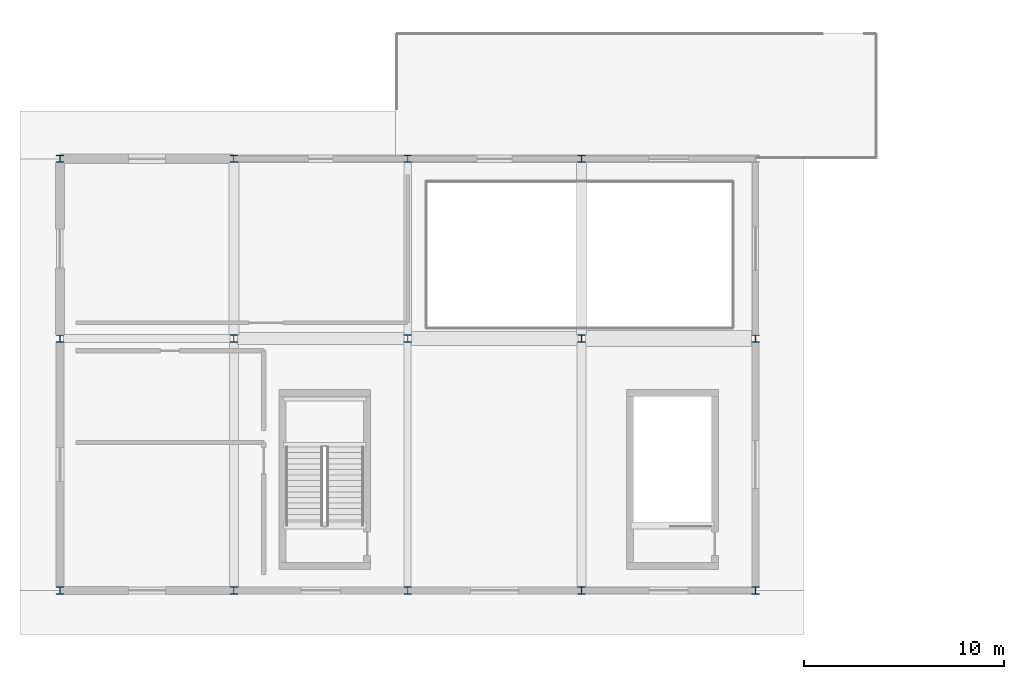
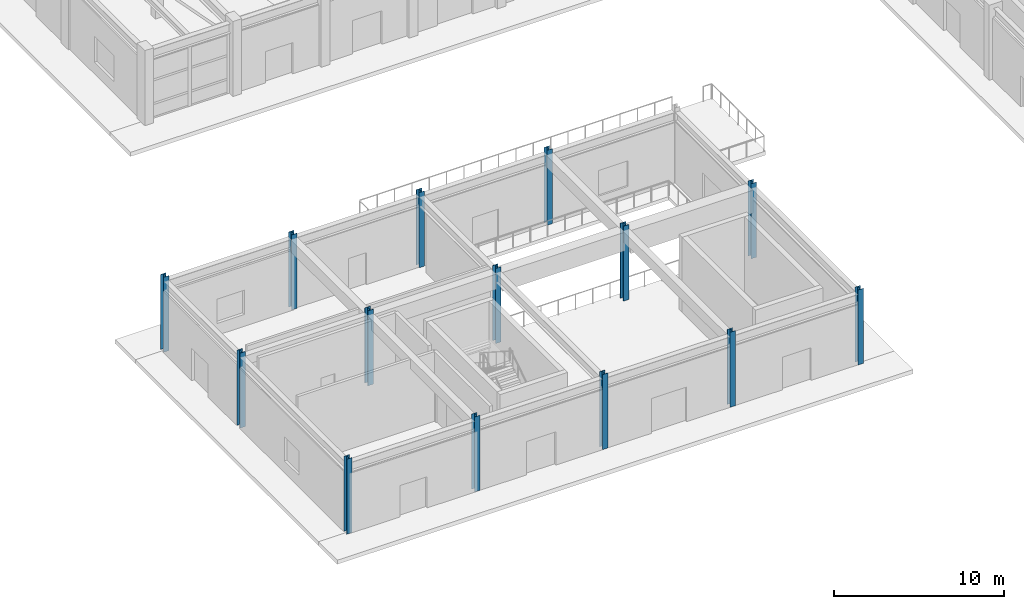
# One storey, part 1 of 91: 14 columns.
"""IFC4 building model written with IfcOpenShell, lengths in metres."""

from ifc_helpers import new_model, si_unit, direction, frame, origin, origin_2d, place, context, subcontext, project, spatial, i_section, extrude, material, material_profile, profile_set, type_object, element, save


model = new_model("IFC4")

# Units and contexts
model_context = context("Model", 3, precision=1e-05, world=origin(), true_north=direction((0.0, 1.0)))
body_context = subcontext(model_context, "Body", "Model", "MODEL_VIEW")
ifc_project = project(units=[si_unit("LENGTHUNIT", "METRE"), si_unit("AREAUNIT", "SQUARE_METRE"), si_unit("VOLUMEUNIT", "CUBIC_METRE"), si_unit("PLANEANGLEUNIT", "RADIAN"), si_unit("MASSUNIT", "GRAM", prefix="KILO")], contexts=[model_context])

# Site, building, storey
site_placement = place(None, origin())
site = spatial("IfcSite", under=ifc_project, at=site_placement, CompositionType="ELEMENT")
building_placement = place(site_placement, origin())
building = spatial("IfcBuilding", under=site, at=building_placement, Name="Vaelkrest Opera House", CompositionType="ELEMENT")
storey_placement = place(building_placement, origin())
storey = spatial("IfcBuildingStorey", under=building, at=storey_placement, Name="L00", CompositionType="ELEMENT", Elevation=0.0)

# Columns
ifc_material = material(Name="Steel A992 Gr50", Category="steel")
ifc_material_profile_1 = material_profile(ifc_material, i_section(OverallWidth=0.3740234375, OverallDepth=0.3720703125, WebThickness=0.016357421875, FlangeThickness=0.026123046875, at=origin_2d()), Name="W14X132")
ifc_profile_set_1 = profile_set([ifc_material_profile_1], Name="Steel A992 Gr50")
column_type_1 = type_object("IfcColumnType", Name="C11", PredefinedType="COLUMN", material=ifc_profile_set_1)
for number, where, z_axis, x_axis, name in (
    (1, (-77.699951171875, -46.800048828125, 0.0), (0.0, 0.0, 1.0), (1.0, 0.0, 0.0), "Column COL-V5-L00-1432"),
    (2, (-69.0, -46.800048828125, 0.0), (0.0, 0.0, 1.0), (1.0, 0.0, 0.0), "Column COL-V5-L00-1435"),
    (3, (-60.300048828125, -46.800048828125, 0.0), (0.0, 0.0, 1.0), (1.0, 0.0, 0.0), "Column COL-V5-L00-1438"),
):
    element("IfcColumn", number, at=place(storey_placement, frame(where, z_axis=z_axis, x_axis=x_axis)), inside=storey, type_object=column_type_1, Name=name, PredefinedType="COLUMN", context=body_context, shape_type="SweptSolid", body=[
        extrude(i_section(OverallWidth=0.3740234375, OverallDepth=0.3720703125, WebThickness=0.016357421875, FlangeThickness=0.026123046875, at=origin_2d()), origin(), (0.0, 0.0, 1.0), 5.39990234375),
    ])
ifc_material_profile_2 = material_profile(ifc_material, i_section(OverallWidth=0.3701171875, OverallDepth=0.360107421875, WebThickness=0.01220703125, FlangeThickness=0.019775390625, at=origin_2d()), Name="W14X99")
ifc_profile_set_2 = profile_set([ifc_material_profile_2], Name="Steel A992 Gr50")
column_type_2 = type_object("IfcColumnType", Name="C15", PredefinedType="COLUMN", material=ifc_profile_set_2)
for number, where, z_axis, x_axis, name in (
    (4, (-86.39990234375, -59.39990234375, 0.0), (0.0, 0.0, 1.0), (1.0, 0.0, 0.0), "Column COL-V5-L00-1428"),
    (5, (-86.39990234375, -46.800048828125, 0.0), (0.0, 0.0, 1.0), (1.0, 0.0, 0.0), "Column COL-V5-L00-1429"),
    (6, (-86.39990234375, -37.800048828125, 0.0), (0.0, 0.0, 1.0), (1.0, 0.0, 0.0), "Column COL-V5-L00-1430"),
    (7, (-77.699951171875, -59.39990234375, 0.0), (0.0, 0.0, 1.0), (1.0, 0.0, 0.0), "Column COL-V5-L00-1431"),
    (8, (-77.699951171875, -37.800048828125, 0.0), (0.0, 0.0, 1.0), (1.0, 0.0, 0.0), "Column COL-V5-L00-1433"),
    (9, (-69.0, -59.39990234375, 0.0), (0.0, 0.0, 1.0), (1.0, 0.0, 0.0), "Column COL-V5-L00-1434"),
    (10, (-69.0, -37.800048828125, 0.0), (0.0, 0.0, 1.0), (1.0, 0.0, 0.0), "Column COL-V5-L00-1436"),
    (11, (-60.300048828125, -59.39990234375, 0.0), (0.0, 0.0, 1.0), (1.0, 0.0, 0.0), "Column COL-V5-L00-1437"),
    (12, (-60.300048828125, -37.800048828125, 0.0), (0.0, 0.0, 1.0), (1.0, 0.0, 0.0), "Column COL-V5-L00-1439"),
    (13, (-51.60009765625, -59.39990234375, 0.0), (0.0, 0.0, 1.0), (1.0, 0.0, 0.0), "Column COL-V5-L00-1440"),
    (14, (-51.60009765625, -46.800048828125, 0.0), (0.0, 0.0, 1.0), (1.0, 0.0, 0.0), "Column COL-V5-L00-1441"),
):
    element("IfcColumn", number, at=place(storey_placement, frame(where, z_axis=z_axis, x_axis=x_axis)), inside=storey, type_object=column_type_2, Name=name, PredefinedType="COLUMN", context=body_context, shape_type="SweptSolid", body=[
        extrude(i_section(OverallWidth=0.3701171875, OverallDepth=0.360107421875, WebThickness=0.01220703125, FlangeThickness=0.019775390625, at=origin_2d()), origin(), (0.0, 0.0, 1.0), 5.39990234375),
    ])

save(model, "model.ifc")
